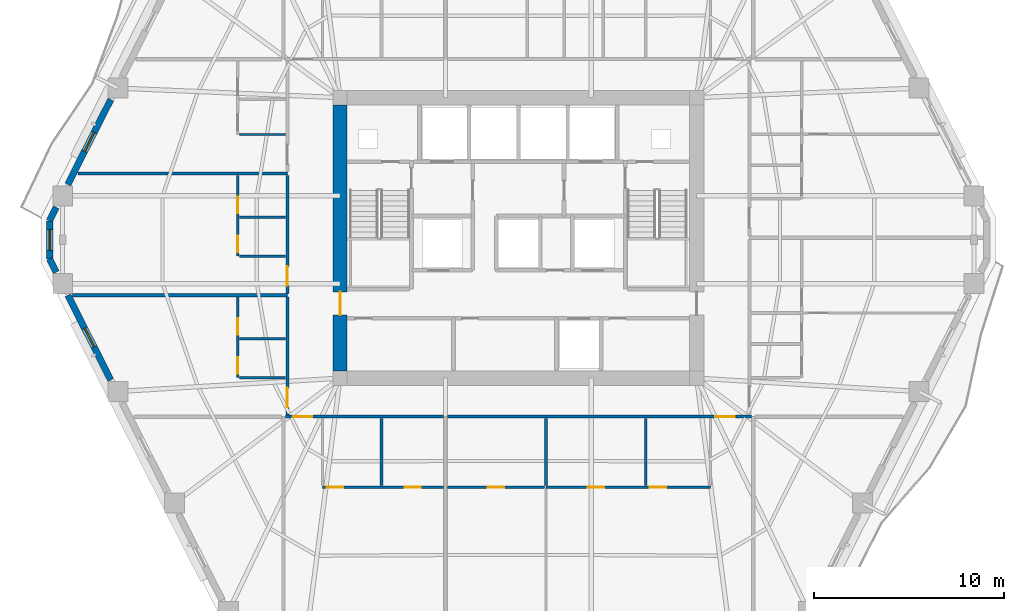
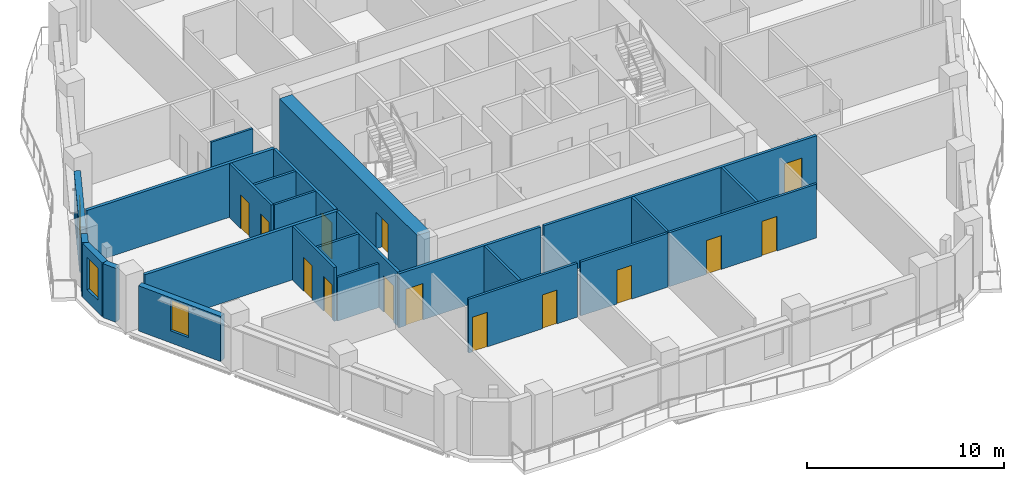
# One storey, part 4 of 12: 25 walls, 14 doors, 3 windows, 17 openings.
"""IFC4 building model written with IfcOpenShell, lengths in metres."""

from ifc_helpers import new_model, si_unit, direction, frame, frame_2d, origin, place, context, subcontext, project, spatial, rectangle, extrude, material, layer, layer_set, type_object, element, fill, save


model = new_model("IFC4")

# Units and contexts
model_context = context("Model", 3, precision=1e-05, world=origin(), true_north=direction((0.0, 1.0)))
body_context = subcontext(model_context, "Body", "Model", "MODEL_VIEW")
ifc_project = project(units=[si_unit("LENGTHUNIT", "METRE"), si_unit("AREAUNIT", "SQUARE_METRE"), si_unit("VOLUMEUNIT", "CUBIC_METRE"), si_unit("PLANEANGLEUNIT", "RADIAN"), si_unit("MASSUNIT", "GRAM", prefix="KILO")], contexts=[model_context])

# Site, building, storey
site_placement = place(None, origin())
site = spatial("IfcSite", under=ifc_project, at=site_placement, CompositionType="ELEMENT")
building_placement = place(site_placement, origin())
building = spatial("IfcBuilding", under=site, at=building_placement, Name="Cinnabar Lancet Tower", CompositionType="ELEMENT")
storey_placement = place(building_placement, frame((0.0, 0.0, 137.449951171875)))
storey = spatial("IfcBuildingStorey", under=building, at=storey_placement, Name="L36", CompositionType="ELEMENT", Elevation=137.449951171875)

# Wall, opening, door
ifc_material_1 = material(Name="Acoustic twin-stud gypsum partition", Category="gypsum")
ifc_layer_1 = layer(ifc_material_1, 0.159912109375)
ifc_layer_set_1 = layer_set([ifc_layer_1], Name="Acoustic twin-stud gypsum partition")
wall_type_1 = type_object("IfcWallType", Name="ARC-WL-CORR-160", PredefinedType="PARTITIONING", material=ifc_layer_set_1)
wall_1_placement = place(storey_placement, frame((20.14501953125, 16.5, 0.0), z_axis=(0.0, 0.0, 1.0), x_axis=(1.0, 0.0, 0.0)))
wall_1 = element("IfcWall", 1, at=wall_1_placement, inside=storey, type_object=wall_type_1, Name="L36 Unit S01 Corridor Wall", PredefinedType="PARTITIONING", context=body_context, shape_type="SweptSolid", body=[
    extrude(rectangle(XDim=8.327880859375, YDim=0.159912109375, at=frame_2d((4.1640625, 0.0))), origin(), (0.0, 0.0, 1.0), 3.340087890625),
])
opening_1_placement = place(wall_1_placement, frame((0.405029296875, 0.0, 0.0)))
opening_1 = element("IfcOpeningElement", 2, at=opening_1_placement, cuts=wall_1, Name="Opening UD-01", PredefinedType="OPENING", context=body_context, shape_type="SweptSolid", body=[
    extrude(rectangle(XDim=1.02001953125, YDim=2.25, at=frame_2d((0.510009765625, 1.125))), frame((0.0, 0.08984375, 0.0), z_axis=(0.0, -1.0, 0.0), x_axis=(1.0, 0.0, 0.0)), (0.0, 0.0, 1.0), 0.179931640625),
])
ifc_material_2 = material(Name="Solid timber fire-rated apartment entrance door", Category="wood")
door_type_1 = type_object("IfcDoorType", Name="ARC-DR-UNIT", OperationType="NOTDEFINED", PredefinedType="DOOR", material=ifc_material_2)
door_1_placement = place(opening_1_placement, origin())
door_1 = element("IfcDoor", 3, at=door_1_placement, inside=storey, type_object=door_type_1, Name="DR-L36-S01-ENT", OperationType="SINGLE_SWING_LEFT", OverallHeight=2.25, OverallWidth=1.02001953125, PredefinedType="DOOR", context=body_context, shape_type="SweptSolid", body=[
    extrude(rectangle(XDim=1.02001953125, YDim=2.25, at=frame_2d((0.510009765625, 1.125))), frame((0.0, 0.02490234375, 0.0), z_axis=(0.0, -1.0, 0.0), x_axis=(1.0, 0.0, 0.0)), (0.0, 0.0, 1.0), 0.050048828125),
])
fill(opening_1, door_1)

wall_2_placement = place(storey_placement, frame((28.6630859375, 16.5, 0.0), z_axis=(0.0, 0.0, 1.0), x_axis=(1.0, 0.0, 0.0)))
wall_2 = element("IfcWall", 4, at=wall_2_placement, inside=storey, type_object=wall_type_1, Name="L36 Unit S02 Corridor Wall", PredefinedType="PARTITIONING", context=body_context, shape_type="SweptSolid", body=[
    extrude(rectangle(XDim=15.991943359375, YDim=0.159912109375, at=frame_2d((7.99609375, 0.0))), origin(), (0.0, 0.0, 1.0), 3.340087890625),
])
opening_2_placement = place(wall_2_placement, frame((14.0869140625, 0.0, 0.0)))
opening_2 = element("IfcOpeningElement", 5, at=opening_2_placement, cuts=wall_2, Name="Opening UD-01", PredefinedType="OPENING", context=body_context, shape_type="SweptSolid", body=[
    extrude(rectangle(XDim=1.02001953125, YDim=2.25, at=frame_2d((0.510009765625, 1.125))), frame((0.0, 0.08984375, 0.0), z_axis=(0.0, -1.0, 0.0), x_axis=(1.0, 0.0, 0.0)), (0.0, 0.0, 1.0), 0.179931640625),
])
door_2_placement = place(opening_2_placement, origin())
door_2 = element("IfcDoor", 6, at=door_2_placement, inside=storey, type_object=door_type_1, Name="DR-L36-S02-ENT", OperationType="SINGLE_SWING_RIGHT", OverallHeight=2.25, OverallWidth=1.02001953125, PredefinedType="DOOR", context=body_context, shape_type="SweptSolid", body=[
    extrude(rectangle(XDim=1.02001953125, YDim=2.25, at=frame_2d((0.510009765625, 1.125))), frame((0.0, 0.02490234375, 0.0), z_axis=(0.0, -1.0, 0.0), x_axis=(1.0, 0.0, 0.0)), (0.0, 0.0, 1.0), 0.050048828125),
])
fill(opening_2, door_2)

wall_3_placement = place(storey_placement, frame((20.25, 16.594970703125, 0.0), z_axis=(0.0, 0.0, 1.0), x_axis=(0.0, 1.0, 0.0)))
wall_3 = element("IfcWall", 7, at=wall_3_placement, inside=storey, type_object=wall_type_1, Name="UW-L36-W01-COR", PredefinedType="PARTITIONING", context=body_context, shape_type="SweptSolid", body=[
    extrude(rectangle(XDim=6.2021484375, YDim=0.159912109375, at=frame_2d((3.10107421875, 0.0))), origin(), (0.0, 0.0, 1.0), 3.340087890625),
])
opening_3_placement = place(wall_3_placement, frame((0.39990234375, 0.0, 0.0)))
opening_3 = element("IfcOpeningElement", 8, at=opening_3_placement, cuts=wall_3, Name="Opening UD-01", PredefinedType="OPENING", context=body_context, shape_type="SweptSolid", body=[
    extrude(rectangle(XDim=1.02001953125, YDim=2.25, at=frame_2d((0.510009765625, 1.125))), frame((0.0, 0.08984375, 0.0), z_axis=(0.0, -1.0, 0.0), x_axis=(1.0, 0.0, 0.0)), (0.0, 0.0, 1.0), 0.179931640625),
])
door_3_placement = place(opening_3_placement, origin())
door_3 = element("IfcDoor", 9, at=door_3_placement, inside=storey, type_object=door_type_1, Name="DR-L36-W01-ENT", OperationType="SINGLE_SWING_LEFT", OverallHeight=2.25, OverallWidth=1.02001953125, PredefinedType="DOOR", context=body_context, shape_type="SweptSolid", body=[
    extrude(rectangle(XDim=1.02001953125, YDim=2.25, at=frame_2d((0.510009765625, 1.125))), frame((0.0, 0.02490234375, 0.0), z_axis=(0.0, -1.0, 0.0), x_axis=(1.0, 0.0, 0.0)), (0.0, 0.0, 1.0), 0.050048828125),
])
fill(opening_3, door_3)

wall_4_placement = place(storey_placement, frame((20.25, 22.987060546875, 0.0), z_axis=(0.0, 0.0, 1.0), x_axis=(0.0, 1.0, 0.0)))
wall_4 = element("IfcWall", 10, at=wall_4_placement, inside=storey, type_object=wall_type_1, Name="UW-L36-W02-COR", PredefinedType="PARTITIONING", context=body_context, shape_type="SweptSolid", body=[
    extrude(rectangle(XDim=6.201904296875, YDim=0.159912109375, at=frame_2d((3.10107421875, 0.0))), origin(), (0.0, 0.0, 1.0), 3.340087890625),
])
opening_4_placement = place(wall_4_placement, frame((0.39990234375, 0.0, 0.0)))
opening_4 = element("IfcOpeningElement", 11, at=opening_4_placement, cuts=wall_4, Name="Opening UD-01", PredefinedType="OPENING", context=body_context, shape_type="SweptSolid", body=[
    extrude(rectangle(XDim=1.02001953125, YDim=2.25, at=frame_2d((0.510009765625, 1.125))), frame((0.0, 0.08984375, 0.0), z_axis=(0.0, -1.0, 0.0), x_axis=(1.0, 0.0, 0.0)), (0.0, 0.0, 1.0), 0.179931640625),
])
door_4_placement = place(opening_4_placement, origin())
door_4 = element("IfcDoor", 12, at=door_4_placement, inside=storey, type_object=door_type_1, Name="DR-L36-W02-ENT", OperationType="SINGLE_SWING_RIGHT", OverallHeight=2.25, OverallWidth=1.02001953125, PredefinedType="DOOR", context=body_context, shape_type="SweptSolid", body=[
    extrude(rectangle(XDim=1.02001953125, YDim=2.25, at=frame_2d((0.510009765625, 1.125))), frame((0.0, 0.02490234375, 0.0), z_axis=(0.0, -1.0, 0.0), x_axis=(1.0, 0.0, 0.0)), (0.0, 0.0, 1.0), 0.050048828125),
])
fill(opening_4, door_4)

# Walls
ifc_material_3 = material(Name="Fire-rated twin-frame acoustic drywall", Category="gypsum")
ifc_layer_2 = layer(ifc_material_3, 0.179931640625)
ifc_layer_set_2 = layer_set([ifc_layer_2], Name="Fire-rated twin-frame acoustic drywall")
wall_type_2 = type_object("IfcWallType", Name="ARC-WL-PARTY-180", PredefinedType="PARTITIONING", material=ifc_layer_set_2)
wall_5_placement = place(storey_placement, frame((8.950927734375, 22.89208984375, 0.0), z_axis=(0.0, 0.0, 1.0), x_axis=(1.0, 0.0, 0.0)))
element("IfcWall", 13, at=wall_5_placement, inside=storey, type_object=wall_type_2, Name="PW-L36-WPTY-1", PredefinedType="PARTITIONING", context=body_context, shape_type="SweptSolid", body=[
    extrude(rectangle(XDim=11.299072265625, YDim=0.179931640625, at=frame_2d((5.6494140625, 0.0))), origin(), (0.0, 0.0, 1.0), 3.340087890625),
])
wall_6_placement = place(storey_placement, frame((9.241943359375, 29.283935546875, 0.0), z_axis=(0.0, 0.0, 1.0), x_axis=(1.0, 0.0, 0.0)))
element("IfcWall", 14, at=wall_6_placement, inside=storey, type_object=wall_type_2, Name="PW-L36-WPTY-2", PredefinedType="PARTITIONING", context=body_context, shape_type="SweptSolid", body=[
    extrude(rectangle(XDim=11.008056640625, YDim=0.179931640625, at=frame_2d((5.50390625, 0.0))), origin(), (0.0, 0.0, 1.0), 3.340087890625),
])
ifc_material_4 = material(Name="Gypsum plasterboard stud partition", Category="gypsum")
ifc_layer_3 = layer(ifc_material_4, 0.125)
ifc_layer_set_3 = layer_set([ifc_layer_3], Name="Gypsum plasterboard stud partition")
wall_type_3 = type_object("IfcWallType", Name="ARC-WL-UNIT-125", PredefinedType="PARTITIONING", material=ifc_layer_set_3)
wall_7_placement = place(storey_placement, frame((17.735107421875, 18.550048828125, 0.0), z_axis=(0.0, 0.0, 1.0), x_axis=(1.0, 0.0, 0.0)))
element("IfcWall", 15, at=wall_7_placement, inside=storey, type_object=wall_type_3, Name="UW-L36-W01-FOYN", PredefinedType="PARTITIONING", context=body_context, shape_type="SweptSolid", body=[
    extrude(rectangle(XDim=2.429931640625, YDim=0.125, at=frame_2d((1.21484375, 0.0))), origin(), (0.0, 0.0, 1.0), 2.72216796875),
])
for number, where, z_axis, x_axis, name in (
    (16, (17.735107421875, 24.94189453125, 0.0), (0.0, 0.0, 1.0), (1.0, 0.0, 0.0), "UW-L36-W02-FOYN"),
    (17, (17.735107421875, 31.333984375, 0.0), (0.0, 0.0, 1.0), (1.0, 0.0, 0.0), "UW-L36-W03-FOYN"),
):
    element("IfcWall", number, at=place(storey_placement, frame(where, z_axis=z_axis, x_axis=x_axis)), inside=storey, type_object=wall_type_3, Name=name, PredefinedType="PARTITIONING", context=body_context, shape_type="SweptSolid", body=[
        extrude(rectangle(XDim=2.429931640625, YDim=0.125, at=frame_2d((1.21484375, 0.0))), origin(), (0.0, 0.0, 1.0), 3.340087890625),
    ])

# Wall, openings, doors
ifc_material_5 = material(Name="Moisture-resistant cement-board plumbing wall", Category="masonry")
ifc_layer_4 = layer(ifc_material_5, 0.139892578125)
ifc_layer_set_4 = layer_set([ifc_layer_4], Name="Moisture-resistant cement-board plumbing wall")
wall_type_4 = type_object("IfcWallType", Name="ARC-WL-WET-140", PredefinedType="PLUMBINGWALL", material=ifc_layer_set_4)
wall_8_placement = place(storey_placement, frame((22.10009765625, 12.781982421875, 0.0), z_axis=(0.0, 0.0, 1.0), x_axis=(1.0, 0.0, 0.0)))
wall_8 = element("IfcWall", 18, at=wall_8_placement, inside=storey, type_object=wall_type_4, Name="UW-L36-S01-SPL", PredefinedType="PLUMBINGWALL", context=body_context, shape_type="SweptSolid", body=[
    extrude(rectangle(XDim=6.372802734375, YDim=0.139892578125, at=frame_2d((3.1865234375, 0.0))), origin(), (0.0, 0.0, 1.0), 3.340087890625),
])
opening_5_placement = place(wall_8_placement, frame((4.31396484375, 0.0, 0.0)))
opening_5 = element("IfcOpeningElement", 19, at=opening_5_placement, cuts=wall_8, Name="Opening BD-01", PredefinedType="OPENING", context=body_context, shape_type="SweptSolid", body=[
    extrude(rectangle(XDim=0.860107421875, YDim=2.10009765625, at=frame_2d((0.43017578125, 1.050048828125))), frame((0.0, 0.079833984375, 0.0), z_axis=(0.0, -1.0, 0.0), x_axis=(1.0, 0.0, 0.0)), (0.0, 0.0, 1.0), 0.159912109375),
])
opening_6_placement = place(wall_8_placement, frame((0.219970703125, 0.0, 0.0)))
opening_6 = element("IfcOpeningElement", 20, at=opening_6_placement, cuts=wall_8, Name="Opening RD-02", PredefinedType="OPENING", context=body_context, shape_type="SweptSolid", body=[
    extrude(rectangle(XDim=0.8798828125, YDim=2.14990234375, at=frame_2d((0.43994140625, 1.074951171875))), frame((0.0, 0.079833984375, 0.0), z_axis=(0.0, -1.0, 0.0), x_axis=(1.0, 0.0, 0.0)), (0.0, 0.0, 1.0), 0.159912109375),
])
ifc_material_6 = material(Name="Moisture-resistant timber bathroom door", Category="wood")
door_type_2 = type_object("IfcDoorType", Name="ARC-DR-BATH", OperationType="NOTDEFINED", PredefinedType="DOOR", material=ifc_material_6)
door_5_placement = place(opening_5_placement, origin())
door_5 = element("IfcDoor", 21, at=door_5_placement, inside=storey, type_object=door_type_2, Name="DR-L36-S01-BTH", OperationType="SINGLE_SWING_LEFT", OverallHeight=2.10009765625, OverallWidth=0.860107421875, PredefinedType="DOOR", context=body_context, shape_type="SweptSolid", body=[
    extrude(rectangle(XDim=0.860107421875, YDim=2.10009765625, at=frame_2d((0.43017578125, 1.050048828125))), frame((0.0, 0.02490234375, 0.0), z_axis=(0.0, -1.0, 0.0), x_axis=(1.0, 0.0, 0.0)), (0.0, 0.0, 1.0), 0.050048828125),
])
fill(opening_5, door_5)
ifc_material_7 = material(Name="Engineered timber study door", Category="wood")
door_type_3 = type_object("IfcDoorType", Name="ARC-DR-STUDY", OperationType="NOTDEFINED", PredefinedType="DOOR", material=ifc_material_7)
door_6_placement = place(opening_6_placement, origin())
door_6 = element("IfcDoor", 22, at=door_6_placement, inside=storey, type_object=door_type_3, Name="DR-L36-S01-KIT", OperationType="SINGLE_SWING_RIGHT", OverallHeight=2.14990234375, OverallWidth=0.8798828125, PredefinedType="DOOR", context=body_context, shape_type="SweptSolid", body=[
    extrude(rectangle(XDim=0.8798828125, YDim=2.14990234375, at=frame_2d((0.43994140625, 1.074951171875))), frame((0.0, 0.02490234375, 0.0), z_axis=(0.0, -1.0, 0.0), x_axis=(1.0, 0.0, 0.0)), (0.0, 0.0, 1.0), 0.050048828125),
])
fill(opening_6, door_6)

# Wall
wall_9_placement = place(storey_placement, frame((25.205078125, 12.886962890625, 0.0), z_axis=(0.0, 0.0, 1.0), x_axis=(0.0, 1.0, 0.0)))
element("IfcWall", 23, at=wall_9_placement, inside=storey, type_object=wall_type_4, Name="UW-L36-S01-KDV", PredefinedType="PLUMBINGWALL", context=body_context, shape_type="SweptSolid", body=[
    extrude(rectangle(XDim=3.528076171875, YDim=0.139892578125, at=frame_2d((1.76416015625, 0.0))), origin(), (0.0, 0.0, 1.0), 3.340087890625),
])

# Wall, openings, doors
wall_10_placement = place(storey_placement, frame((33.85009765625, 12.781982421875, 0.0), z_axis=(0.0, 0.0, 1.0), x_axis=(1.0, 0.0, 0.0)))
wall_10 = element("IfcWall", 24, at=wall_10_placement, inside=storey, type_object=wall_type_4, Name="UW-L36-S02-SPL", PredefinedType="PLUMBINGWALL", context=body_context, shape_type="SweptSolid", body=[
    extrude(rectangle(XDim=8.64990234375, YDim=0.139892578125, at=frame_2d((4.324951171875, 0.0))), origin(), (0.0, 0.0, 1.0), 3.340087890625),
])
opening_7_placement = place(wall_10_placement, frame((2.199951171875, 0.0, 0.0)))
opening_7 = element("IfcOpeningElement", 25, at=opening_7_placement, cuts=wall_10, Name="Opening BD-01", PredefinedType="OPENING", context=body_context, shape_type="SweptSolid", body=[
    extrude(rectangle(XDim=0.860107421875, YDim=2.10009765625, at=frame_2d((0.43017578125, 1.050048828125))), frame((0.0, 0.079833984375, 0.0), z_axis=(0.0, -1.0, 0.0), x_axis=(1.0, 0.0, 0.0)), (0.0, 0.0, 1.0), 0.159912109375),
])
opening_8_placement = place(wall_10_placement, frame((5.449951171875, 0.0, 0.0)))
opening_8 = element("IfcOpeningElement", 26, at=opening_8_placement, cuts=wall_10, Name="Opening RD-02", PredefinedType="OPENING", context=body_context, shape_type="SweptSolid", body=[
    extrude(rectangle(XDim=0.8798828125, YDim=2.14990234375, at=frame_2d((0.43994140625, 1.074951171875))), frame((0.0, 0.079833984375, 0.0), z_axis=(0.0, -1.0, 0.0), x_axis=(1.0, 0.0, 0.0)), (0.0, 0.0, 1.0), 0.159912109375),
])
door_7_placement = place(opening_7_placement, origin())
door_7 = element("IfcDoor", 27, at=door_7_placement, inside=storey, type_object=door_type_2, Name="DR-L36-S02-BTH", OperationType="SINGLE_SWING_LEFT", OverallHeight=2.10009765625, OverallWidth=0.860107421875, PredefinedType="DOOR", context=body_context, shape_type="SweptSolid", body=[
    extrude(rectangle(XDim=0.860107421875, YDim=2.10009765625, at=frame_2d((0.43017578125, 1.050048828125))), frame((0.0, 0.02490234375, 0.0), z_axis=(0.0, -1.0, 0.0), x_axis=(1.0, 0.0, 0.0)), (0.0, 0.0, 1.0), 0.050048828125),
])
fill(opening_7, door_7)
door_8_placement = place(opening_8_placement, origin())
door_8 = element("IfcDoor", 28, at=door_8_placement, inside=storey, type_object=door_type_3, Name="DR-L36-S02-KIT", OperationType="SINGLE_SWING_RIGHT", OverallHeight=2.14990234375, OverallWidth=0.8798828125, PredefinedType="DOOR", context=body_context, shape_type="SweptSolid", body=[
    extrude(rectangle(XDim=0.8798828125, YDim=2.14990234375, at=frame_2d((0.43994140625, 1.074951171875))), frame((0.0, 0.02490234375, 0.0), z_axis=(0.0, -1.0, 0.0), x_axis=(1.0, 0.0, 0.0)), (0.0, 0.0, 1.0), 0.050048828125),
])
fill(opening_8, door_8)

# Wall, opening, door
wall_11_placement = place(storey_placement, frame((28.6630859375, 12.781982421875, 0.0), z_axis=(0.0, 0.0, 1.0), x_axis=(1.0, 0.0, 0.0)))
wall_11 = element("IfcWall", 29, at=wall_11_placement, inside=storey, type_object=wall_type_4, Name="UW-L36-S02-SPM", PredefinedType="PLUMBINGWALL", context=body_context, shape_type="SweptSolid", body=[
    extrude(rectangle(XDim=5.11181640625, YDim=0.139892578125, at=frame_2d((2.555908203125, 0.0))), origin(), (0.0, 0.0, 1.0), 3.340087890625),
])
opening_9_placement = place(wall_11_placement, frame((2.131103515625, 0.0, 0.0)))
opening_9 = element("IfcOpeningElement", 30, at=opening_9_placement, cuts=wall_11, Name="Opening BD-01", PredefinedType="OPENING", context=body_context, shape_type="SweptSolid", body=[
    extrude(rectangle(XDim=0.860107421875, YDim=2.10009765625, at=frame_2d((0.43017578125, 1.050048828125))), frame((0.0, 0.079833984375, 0.0), z_axis=(0.0, -1.0, 0.0), x_axis=(1.0, 0.0, 0.0)), (0.0, 0.0, 1.0), 0.159912109375),
])
door_9_placement = place(opening_9_placement, origin())
door_9 = element("IfcDoor", 31, at=door_9_placement, inside=storey, type_object=door_type_2, Name="DR-L36-S02-ENS", OperationType="SINGLE_SWING_RIGHT", OverallHeight=2.10009765625, OverallWidth=0.860107421875, PredefinedType="DOOR", context=body_context, shape_type="SweptSolid", body=[
    extrude(rectangle(XDim=0.860107421875, YDim=2.10009765625, at=frame_2d((0.43017578125, 1.050048828125))), frame((0.0, 0.02490234375, 0.0), z_axis=(0.0, -1.0, 0.0), x_axis=(1.0, 0.0, 0.0)), (0.0, 0.0, 1.0), 0.050048828125),
])
fill(opening_9, door_9)

# Walls
for number, where, z_axis, x_axis, name in (
    (32, (39.10009765625, 12.886962890625, 0.0), (0.0, 0.0, 1.0), (0.0, 1.0, 0.0), "UW-L36-S02-KBD"),
    (33, (33.85009765625, 12.886962890625, 0.0), (0.0, 0.0, 1.0), (0.0, 1.0, 0.0), "UW-L36-S02-ENSW"),
):
    element("IfcWall", number, at=place(storey_placement, frame(where, z_axis=z_axis, x_axis=x_axis)), inside=storey, type_object=wall_type_4, Name=name, PredefinedType="PLUMBINGWALL", context=body_context, shape_type="SweptSolid", body=[
        extrude(rectangle(XDim=3.528076171875, YDim=0.139892578125, at=frame_2d((1.76416015625, 0.0))), origin(), (0.0, 0.0, 1.0), 3.340087890625),
    ])

# Wall, openings, doors
wall_12_placement = place(storey_placement, frame((17.64990234375, 18.550048828125, 0.0), z_axis=(0.0, 0.0, 1.0), x_axis=(0.0, 1.0, 0.0)))
wall_12 = element("IfcWall", 34, at=wall_12_placement, inside=storey, type_object=wall_type_4, Name="UW-L36-W01-SPL", PredefinedType="PLUMBINGWALL", context=body_context, shape_type="SweptSolid", body=[
    extrude(rectangle(XDim=4.2470703125, YDim=0.139892578125, at=frame_2d((2.12353515625, 0.0))), origin(), (0.0, 0.0, 1.0), 3.340087890625),
])
opening_10_placement = place(wall_12_placement, frame((2.259033203125, 0.0, 0.0)))
opening_10 = element("IfcOpeningElement", 35, at=opening_10_placement, cuts=wall_12, Name="Opening BD-01", PredefinedType="OPENING", context=body_context, shape_type="SweptSolid", body=[
    extrude(rectangle(XDim=0.860107421875, YDim=2.10009765625, at=frame_2d((0.43017578125, 1.050048828125))), frame((0.0, 0.079833984375, 0.0), z_axis=(0.0, -1.0, 0.0), x_axis=(1.0, 0.0, 0.0)), (0.0, 0.0, 1.0), 0.159912109375),
])
opening_11_placement = place(wall_12_placement, frame((0.199951171875, 0.0, 0.0)))
opening_11 = element("IfcOpeningElement", 36, at=opening_11_placement, cuts=wall_12, Name="Opening RD-02", PredefinedType="OPENING", context=body_context, shape_type="SweptSolid", body=[
    extrude(rectangle(XDim=0.8798828125, YDim=2.14990234375, at=frame_2d((0.43994140625, 1.074951171875))), frame((0.0, 0.079833984375, 0.0), z_axis=(0.0, -1.0, 0.0), x_axis=(1.0, 0.0, 0.0)), (0.0, 0.0, 1.0), 0.159912109375),
])
door_10_placement = place(opening_10_placement, origin())
door_10 = element("IfcDoor", 37, at=door_10_placement, inside=storey, type_object=door_type_2, Name="DR-L36-W01-BTH", OperationType="SINGLE_SWING_LEFT", OverallHeight=2.10009765625, OverallWidth=0.860107421875, PredefinedType="DOOR", context=body_context, shape_type="SweptSolid", body=[
    extrude(rectangle(XDim=0.860107421875, YDim=2.10009765625, at=frame_2d((0.43017578125, 1.050048828125))), frame((0.0, 0.02490234375, 0.0), z_axis=(0.0, -1.0, 0.0), x_axis=(1.0, 0.0, 0.0)), (0.0, 0.0, 1.0), 0.050048828125),
])
fill(opening_10, door_10)
door_11_placement = place(opening_11_placement, origin())
door_11 = element("IfcDoor", 38, at=door_11_placement, inside=storey, type_object=door_type_3, Name="DR-L36-W01-KIT", OperationType="SINGLE_SWING_RIGHT", OverallHeight=2.14990234375, OverallWidth=0.8798828125, PredefinedType="DOOR", context=body_context, shape_type="SweptSolid", body=[
    extrude(rectangle(XDim=0.8798828125, YDim=2.14990234375, at=frame_2d((0.43994140625, 1.074951171875))), frame((0.0, 0.02490234375, 0.0), z_axis=(0.0, -1.0, 0.0), x_axis=(1.0, 0.0, 0.0)), (0.0, 0.0, 1.0), 0.050048828125),
])
fill(opening_11, door_11)

# Wall
wall_13_placement = place(storey_placement, frame((17.735107421875, 20.589111328125, 0.0), z_axis=(0.0, 0.0, 1.0), x_axis=(1.0, 0.0, 0.0)))
element("IfcWall", 39, at=wall_13_placement, inside=storey, type_object=wall_type_4, Name="UW-L36-W01-KDV", PredefinedType="PLUMBINGWALL", context=body_context, shape_type="SweptSolid", body=[
    extrude(rectangle(XDim=2.429931640625, YDim=0.139892578125, at=frame_2d((1.21484375, 0.0))), origin(), (0.0, 0.0, 1.0), 3.340087890625),
])

# Wall, openings, doors
wall_14_placement = place(storey_placement, frame((17.64990234375, 24.94189453125, 0.0), z_axis=(0.0, 0.0, 1.0), x_axis=(0.0, 1.0, 0.0)))
wall_14 = element("IfcWall", 40, at=wall_14_placement, inside=storey, type_object=wall_type_4, Name="UW-L36-W02-SPL", PredefinedType="PLUMBINGWALL", context=body_context, shape_type="SweptSolid", body=[
    extrude(rectangle(XDim=4.2470703125, YDim=0.139892578125, at=frame_2d((2.12353515625, 0.0))), origin(), (0.0, 0.0, 1.0), 3.340087890625),
])
opening_12_placement = place(wall_14_placement, frame((2.259033203125, 0.0, 0.0)))
opening_12 = element("IfcOpeningElement", 41, at=opening_12_placement, cuts=wall_14, Name="Opening BD-01", PredefinedType="OPENING", context=body_context, shape_type="SweptSolid", body=[
    extrude(rectangle(XDim=0.860107421875, YDim=2.10009765625, at=frame_2d((0.43017578125, 1.050048828125))), frame((0.0, 0.079833984375, 0.0), z_axis=(0.0, -1.0, 0.0), x_axis=(1.0, 0.0, 0.0)), (0.0, 0.0, 1.0), 0.159912109375),
])
opening_13_placement = place(wall_14_placement, frame((0.199951171875, 0.0, 0.0)))
opening_13 = element("IfcOpeningElement", 42, at=opening_13_placement, cuts=wall_14, Name="Opening RD-02", PredefinedType="OPENING", context=body_context, shape_type="SweptSolid", body=[
    extrude(rectangle(XDim=0.8798828125, YDim=2.14990234375, at=frame_2d((0.43994140625, 1.074951171875))), frame((0.0, 0.079833984375, 0.0), z_axis=(0.0, -1.0, 0.0), x_axis=(1.0, 0.0, 0.0)), (0.0, 0.0, 1.0), 0.159912109375),
])
door_12_placement = place(opening_12_placement, origin())
door_12 = element("IfcDoor", 43, at=door_12_placement, inside=storey, type_object=door_type_2, Name="DR-L36-W02-BTH", OperationType="SINGLE_SWING_RIGHT", OverallHeight=2.10009765625, OverallWidth=0.860107421875, PredefinedType="DOOR", context=body_context, shape_type="SweptSolid", body=[
    extrude(rectangle(XDim=0.860107421875, YDim=2.10009765625, at=frame_2d((0.43017578125, 1.050048828125))), frame((0.0, 0.02490234375, 0.0), z_axis=(0.0, -1.0, 0.0), x_axis=(1.0, 0.0, 0.0)), (0.0, 0.0, 1.0), 0.050048828125),
])
fill(opening_12, door_12)
door_13_placement = place(opening_13_placement, origin())
door_13 = element("IfcDoor", 44, at=door_13_placement, inside=storey, type_object=door_type_3, Name="DR-L36-W02-KIT", OperationType="SINGLE_SWING_LEFT", OverallHeight=2.14990234375, OverallWidth=0.8798828125, PredefinedType="DOOR", context=body_context, shape_type="SweptSolid", body=[
    extrude(rectangle(XDim=0.8798828125, YDim=2.14990234375, at=frame_2d((0.43994140625, 1.074951171875))), frame((0.0, 0.02490234375, 0.0), z_axis=(0.0, -1.0, 0.0), x_axis=(1.0, 0.0, 0.0)), (0.0, 0.0, 1.0), 0.050048828125),
])
fill(opening_13, door_13)

# Wall
wall_15_placement = place(storey_placement, frame((17.735107421875, 26.98095703125, 0.0), z_axis=(0.0, 0.0, 1.0), x_axis=(1.0, 0.0, 0.0)))
element("IfcWall", 45, at=wall_15_placement, inside=storey, type_object=wall_type_4, Name="UW-L36-W02-KDV", PredefinedType="PLUMBINGWALL", context=body_context, shape_type="SweptSolid", body=[
    extrude(rectangle(XDim=2.429931640625, YDim=0.139892578125, at=frame_2d((1.21484375, 0.0))), origin(), (0.0, 0.0, 1.0), 3.340087890625),
])

# Wall, opening, window
ifc_material_8 = material(Name="Cinnabar red clay brick", Category="masonry")
ifc_layer_5 = layer(ifc_material_8, 0.340087890625)
ifc_layer_set_5 = layer_set([ifc_layer_5], Name="Cinnabar red clay brick")
wall_type_5 = type_object("IfcWallType", Name="ENV-WL-BRK-RED-340", PredefinedType="STANDARD", material=ifc_layer_set_5)
wall_16_placement = place(storey_placement, frame((7.76708984375, 26.797119140625, 0.0), z_axis=(0.0, 0.0, 1.0), x_axis=(0.0, -1.0, 0.0)))
wall_16 = element("IfcWall", 46, at=wall_16_placement, inside=storey, type_object=wall_type_5, Name="L36 Chamfered Corner Brick Pier 6.1", PredefinedType="STANDARD", context=body_context, shape_type="SweptSolid", body=[
    extrude(rectangle(XDim=1.994140625, YDim=0.340087890625, at=frame_2d((0.9970703125, 0.0))), origin(), (0.0, 0.0, 1.0), 3.340087890625),
])
opening_14_placement = place(wall_16_placement, frame((0.447021484375, 0.0, 0.75)))
opening_14 = element("IfcOpeningElement", 47, at=opening_14_placement, cuts=wall_16, Name="Opening WN-04", PredefinedType="OPENING", context=body_context, shape_type="SweptSolid", body=[
    extrude(rectangle(XDim=1.10009765625, YDim=2.0, at=frame_2d((0.550048828125, 1.0))), frame((0.0, 0.179931640625, 0.0), z_axis=(0.0, -1.0, 0.0), x_axis=(1.0, 0.0, 0.0)), (0.0, 0.0, 1.0), 0.360107421875),
])
ifc_material_9 = material(Name="Thermally broken bronze-anodized aluminium tall lancet window", Category="aluminium")
window_type = type_object("IfcWindowType", Name="ENV-WN-LANCET-1100", PartitioningType="SINGLE_PANEL", PredefinedType="WINDOW", material=ifc_material_9)
window_1_placement = place(opening_14_placement, origin())
window_1 = element("IfcWindow", 48, at=window_1_placement, inside=storey, type_object=window_type, Name="L36 Dwelling Gothic Lancet Window 325", OverallHeight=2.0, OverallWidth=1.10009765625, PartitioningType="SINGLE_PANEL", PredefinedType="WINDOW", context=body_context, shape_type="SweptSolid", body=[
    extrude(rectangle(XDim=1.10009765625, YDim=2.0, at=frame_2d((0.550048828125, 1.0))), frame((0.0, 0.030029296875, 0.0), z_axis=(0.0, -1.0, 0.0), x_axis=(1.0, 0.0, 0.0)), (0.0, 0.0, 1.0), 0.06005859375),
])
fill(opening_14, window_1)

wall_17_placement = place(storey_placement, frame((10.968017578125, 33.172119140625, 0.0), z_axis=(0.0, 0.0, 1.0), x_axis=(-0.451470533039, -0.892286029139, 0.0)))
wall_17 = element("IfcWall", 49, at=wall_17_placement, inside=storey, type_object=wall_type_5, Name="L36 Face 5 Masonry Bay Wall 4", PredefinedType="STANDARD", context=body_context, shape_type="SweptSolid", body=[
    extrude(rectangle(XDim=4.9951171875, YDim=0.340087890625, at=frame_2d((2.49755859375, 0.0))), origin(), (0.0, 0.0, 1.0), 2.797119140625),
])
opening_15_placement = place(wall_17_placement, frame((1.947021484375, 0.0, 0.75)))
opening_15 = element("IfcOpeningElement", 50, at=opening_15_placement, cuts=wall_17, Name="Opening WN-04", PredefinedType="OPENING", context=body_context, shape_type="SweptSolid", body=[
    extrude(rectangle(XDim=1.10009765625, YDim=1.89697265625, at=frame_2d((0.550048828125, 0.948486328125))), frame((0.0, 0.179931640625, 0.0), z_axis=(0.0, -1.0, 0.0), x_axis=(1.0, 0.0, 0.0)), (0.0, 0.0, 1.0), 0.360107421875),
])
window_2_placement = place(opening_15_placement, origin())
window_2 = element("IfcWindow", 51, at=window_2_placement, inside=storey, type_object=window_type, Name="L36 Face 5 Gothic Lancet Window 4", OverallHeight=1.89697265625, OverallWidth=1.10009765625, PartitioningType="SINGLE_PANEL", PredefinedType="WINDOW", context=body_context, shape_type="SweptSolid", body=[
    extrude(rectangle(XDim=1.10009765625, YDim=1.89697265625, at=frame_2d((0.550048828125, 0.948486328125))), frame((0.0, 0.030029296875, 0.0), z_axis=(0.0, -1.0, 0.0), x_axis=(1.0, 0.0, 0.0)), (0.0, 0.0, 1.0), 0.06005859375),
])
fill(opening_15, window_2)

# Walls
for number, where, z_axis, x_axis, name in (
    (52, (8.10009765625, 27.5029296875, 0.0), (0.0, 0.0, 1.0), (-0.451819324107, -0.89210946546, 0.0), "L36 Face 5 Masonry Bay Wall 5"),
    (53, (7.74609375, 24.7958984375, 0.0), (0.0, 0.0, 1.0), (0.451819324107, -0.89210946546, 0.0), "L36 Face 6 Masonry Bay Wall 1"),
):
    element("IfcWall", number, at=place(storey_placement, frame(where, z_axis=z_axis, x_axis=x_axis)), inside=storey, type_object=wall_type_5, Name=name, PredefinedType="STANDARD", context=body_context, shape_type="SweptSolid", body=[
        extrude(rectangle(XDim=0.783447265625, YDim=0.340087890625, at=frame_2d((0.3916015625, 0.0))), origin(), (0.0, 0.0, 1.0), 3.340087890625),
    ])

# Wall, opening, window
wall_18_placement = place(storey_placement, frame((8.712890625, 22.885009765625, 0.0), z_axis=(0.0, 0.0, 1.0), x_axis=(0.451470533039, -0.892286029139, 0.0)))
wall_18 = element("IfcWall", 54, at=wall_18_placement, inside=storey, type_object=wall_type_5, Name="L36 Face 6 Masonry Bay Wall 2", PredefinedType="STANDARD", context=body_context, shape_type="SweptSolid", body=[
    extrude(rectangle(XDim=4.9951171875, YDim=0.340087890625, at=frame_2d((2.49755859375, 0.0))), origin(), (0.0, 0.0, 1.0), 2.797119140625),
])
opening_16_placement = place(wall_18_placement, frame((1.947021484375, 0.0, 0.75)))
opening_16 = element("IfcOpeningElement", 55, at=opening_16_placement, cuts=wall_18, Name="Opening WN-04", PredefinedType="OPENING", context=body_context, shape_type="SweptSolid", body=[
    extrude(rectangle(XDim=1.10009765625, YDim=1.89697265625, at=frame_2d((0.550048828125, 0.948486328125))), frame((0.0, 0.179931640625, 0.0), z_axis=(0.0, -1.0, 0.0), x_axis=(1.0, 0.0, 0.0)), (0.0, 0.0, 1.0), 0.360107421875),
])
window_3_placement = place(opening_16_placement, origin())
window_3 = element("IfcWindow", 56, at=window_3_placement, inside=storey, type_object=window_type, Name="L36 Face 6 Gothic Lancet Window 2", OverallHeight=1.89697265625, OverallWidth=1.10009765625, PartitioningType="SINGLE_PANEL", PredefinedType="WINDOW", context=body_context, shape_type="SweptSolid", body=[
    extrude(rectangle(XDim=1.10009765625, YDim=1.89697265625, at=frame_2d((0.550048828125, 0.948486328125))), frame((0.0, 0.030029296875, 0.0), z_axis=(0.0, -1.0, 0.0), x_axis=(1.0, 0.0, 0.0)), (0.0, 0.0, 1.0), 0.06005859375),
])
fill(opening_16, window_3)

# Wall, opening, door
ifc_material_10 = material(Name="Concrete C70/85", Category="concrete")
ifc_layer_6 = layer(ifc_material_10, 0.75)
ifc_layer_set_6 = layer_set([ifc_layer_6], Name="Concrete C70/85")
wall_type_6 = type_object("IfcWallType", Name="STR-WL-CORE-750", PredefinedType="SHEAR", material=ifc_layer_set_6)
wall_19_placement = place(storey_placement, frame((23.02490234375, 18.89990234375, 0.0), z_axis=(0.0, 0.0, 1.0), x_axis=(0.0, 1.0, 0.0)))
wall_19 = element("IfcWall", 57, at=wall_19_placement, inside=storey, type_object=wall_type_6, Name="L36 Core Shear Wall W", PredefinedType="SHEAR", context=body_context, shape_type="SweptSolid", body=[
    extrude(rectangle(XDim=14.0, YDim=0.75, at=frame_2d((7.0, 0.0))), origin(), (0.0, 0.0, 1.0), 3.340087890625),
])
opening_17_placement = place(wall_19_placement, frame((2.93994140625, 0.0, 0.0)))
opening_17 = element("IfcOpeningElement", 58, at=opening_17_placement, cuts=wall_19, Name="Opening FD-02", PredefinedType="OPENING", context=body_context, shape_type="SweptSolid", body=[
    extrude(rectangle(XDim=1.219970703125, YDim=2.25, at=frame_2d((0.60986328125, 1.125))), frame((0.0, 0.385009765625, 0.0), z_axis=(0.0, -1.0, 0.0), x_axis=(1.0, 0.0, 0.0)), (0.0, 0.0, 1.0), 0.77001953125),
])
ifc_material_11 = material(Name="Fire-rated double-vision core portal door", Category="wood")
door_type_4 = type_object("IfcDoorType", Name="ARC-DR-CPORT", OperationType="NOTDEFINED", PredefinedType="DOOR", material=ifc_material_11)
door_14_placement = place(opening_17_placement, origin())
door_14 = element("IfcDoor", 59, at=door_14_placement, inside=storey, type_object=door_type_4, Name="L36 West Core Lobby Fire Door", OperationType="SINGLE_SWING_RIGHT", OverallHeight=2.25, OverallWidth=1.219970703125, PredefinedType="DOOR", context=body_context, shape_type="SweptSolid", body=[
    extrude(rectangle(XDim=1.219970703125, YDim=2.25, at=frame_2d((0.60986328125, 1.125))), frame((0.0, 0.02490234375, 0.0), z_axis=(0.0, -1.0, 0.0), x_axis=(1.0, 0.0, 0.0)), (0.0, 0.0, 1.0), 0.050048828125),
])
fill(opening_17, door_14)

save(model, "model.ifc")
